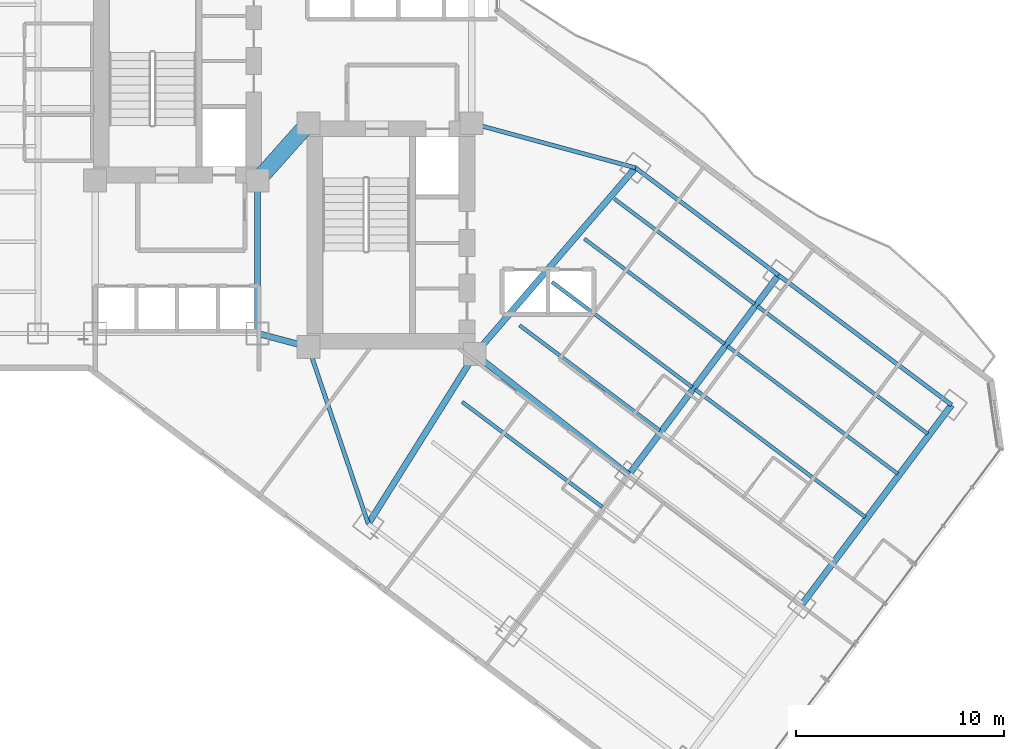
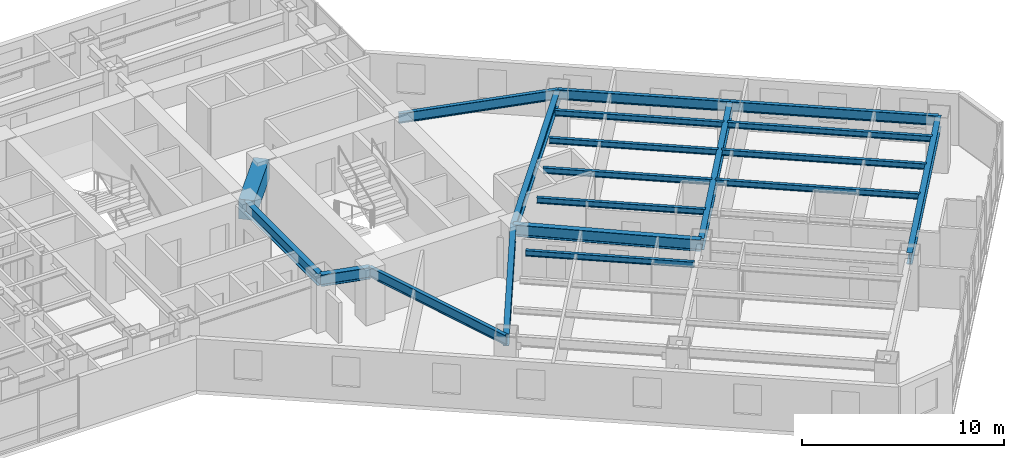
# One storey, part 11 of 37: 20 beams.
"""IFC4 building model written with IfcOpenShell, lengths in metres."""

from ifc_helpers import new_model, si_unit, direction, frame, origin, origin_2d, place, context, subcontext, project, spatial, rectangle, i_section, extrude, material, material_profile, profile_set, type_object, element, save


model = new_model("IFC4")

# Units and contexts
model_context = context("Model", 3, precision=1e-05, world=origin(), true_north=direction((0.0, 1.0)))
body_context = subcontext(model_context, "Body", "Model", "MODEL_VIEW")
ifc_project = project(units=[si_unit("LENGTHUNIT", "METRE"), si_unit("AREAUNIT", "SQUARE_METRE"), si_unit("VOLUMEUNIT", "CUBIC_METRE"), si_unit("PLANEANGLEUNIT", "RADIAN"), si_unit("MASSUNIT", "GRAM", prefix="KILO")], contexts=[model_context])

# Site, building, storey
site_placement = place(None, origin())
site = spatial("IfcSite", under=ifc_project, at=site_placement, CompositionType="ELEMENT")
building_placement = place(site_placement, origin())
building = spatial("IfcBuilding", under=site, at=building_placement, Name="Hatsunagi Terrace Concourse", CompositionType="ELEMENT")
storey_placement = place(building_placement, frame((0.0, 0.0, 39.949951171875)))
storey = spatial("IfcBuildingStorey", under=building, at=storey_placement, Name="L09", CompositionType="ELEMENT", Elevation=39.949951171875)

# Beams
ifc_material_1 = material(Name="Concrete Fc60", Category="concrete")
ifc_material_profile_1 = material_profile(ifc_material_1, rectangle(XDim=0.800048828125, YDim=1.199951171875, at=origin_2d()), Name="RC-800x1200")
ifc_profile_set_1 = profile_set([ifc_material_profile_1], Name="Concrete Fc60")
beam_type_1 = type_object("IfcBeamType", Name="CoreCouplingBeam_RC_800x1200", PredefinedType="BEAM", material=ifc_profile_set_1)
beam_1_placement = place(storey_placement, frame((33.35009765625, 32.550048828125, 2.530029296875), z_axis=(0.665198651008, 0.746666427997, 0.0), x_axis=(-0.746666427997, 0.665198651008, 0.0)))
element("IfcBeam", 1, at=beam_1_placement, inside=storey, type_object=beam_type_1, Name="Beam CB-01 CB-L09-1", PredefinedType="BEAM", context=body_context, shape_type="SweptSolid", body=[
    extrude(rectangle(XDim=0.800048828125, YDim=1.199951171875, at=origin_2d()), origin(), (0.0, 0.0, 1.0), 3.68310546875),
])
ifc_material_2 = material(Name="Steel SN490B", Category="steel")
ifc_material_profile_2 = material_profile(ifc_material_2, i_section(OverallWidth=0.300048828125, OverallDepth=0.699951171875, WebThickness=0.012939453125, FlangeThickness=0.02392578125, FilletRadius=0.02197265625, at=origin_2d()), Name="H-700x300x13x24")
ifc_profile_set_2 = profile_set([ifc_material_profile_2], Name="Steel SN490B")
beam_type_2 = type_object("IfcBeamType", Name="HotelFloorGirder_H_700x300", PredefinedType="BEAM", material=ifc_profile_set_2)
beam_2_placement = place(storey_placement, frame((33.35009765625, 25.199951171875, 2.780029296875), z_axis=(0.0, 1.0, 0.0), x_axis=(-1.0, 0.0, 0.0)))
element("IfcBeam", 2, at=beam_2_placement, inside=storey, type_object=beam_type_2, Name="Beam G-04 BM-L09-K2CA", PredefinedType="BEAM", context=body_context, shape_type="SweptSolid", body=[
    extrude(i_section(OverallWidth=0.300048828125, OverallDepth=0.699951171875, WebThickness=0.012939453125, FlangeThickness=0.02392578125, FilletRadius=0.02197265625, at=origin_2d()), origin(), (0.0, 0.0, 1.0), 7.35009765625),
])
beam_3_placement = place(storey_placement, frame((33.35009765625, 25.199951171875, 2.780029296875), z_axis=(0.966569840116, -0.256403479262, 0.0), x_axis=(0.256403479262, 0.966569840116, 0.0)))
element("IfcBeam", 3, at=beam_3_placement, inside=storey, type_object=beam_type_2, Name="Beam G-04 BM-L09-K2CB", PredefinedType="BEAM", context=body_context, shape_type="SweptSolid", body=[
    extrude(i_section(OverallWidth=0.300048828125, OverallDepth=0.699951171875, WebThickness=0.012939453125, FlangeThickness=0.02392578125, FilletRadius=0.02197265625, at=origin_2d()), origin(), (0.0, 0.0, 1.0), 2.53466796875),
])
beam_4_placement = place(storey_placement, frame((38.679931640625, 16.0400390625, 2.780029296875), z_axis=(0.531503907049, 0.847055840421, 0.0), x_axis=(-0.847055840421, 0.531503907049, 0.0)))
element("IfcBeam", 4, at=beam_4_placement, inside=storey, type_object=beam_type_2, Name="Beam G-04 BM-L09-SET-1A", PredefinedType="BEAM", context=body_context, shape_type="SweptSolid", body=[
    extrude(i_section(OverallWidth=0.300048828125, OverallDepth=0.699951171875, WebThickness=0.012939453125, FlangeThickness=0.02392578125, FilletRadius=0.02197265625, at=origin_2d()), origin(), (0.0, 0.0, 1.0), 9.63330078125),
])
beam_5_placement = place(storey_placement, frame((43.800048828125, 24.199951171875, 2.780029296875), z_axis=(0.652739101421, 0.757582777969, 0.0), x_axis=(-0.757582777969, 0.652739101421, 0.0)))
element("IfcBeam", 5, at=beam_5_placement, inside=storey, type_object=beam_type_2, Name="Beam G-04 BM-L09-SET-1B", PredefinedType="BEAM", context=body_context, shape_type="SweptSolid", body=[
    extrude(i_section(OverallWidth=0.300048828125, OverallDepth=0.699951171875, WebThickness=0.012939453125, FlangeThickness=0.02392578125, FilletRadius=0.02197265625, at=origin_2d()), origin(), (0.0, 0.0, 1.0), 11.8271484375),
])
beam_6_placement = place(storey_placement, frame((43.800048828125, 24.199951171875, 2.780029296875), z_axis=(0.787049441068, -0.616889923175, 0.0), x_axis=(0.616889923175, 0.787049441068, 0.0)))
element("IfcBeam", 6, at=beam_6_placement, inside=storey, type_object=beam_type_2, Name="Beam G-04 BM-L09-SE-M2", PredefinedType="BEAM", context=body_context, shape_type="SweptSolid", body=[
    extrude(i_section(OverallWidth=0.300048828125, OverallDepth=0.699951171875, WebThickness=0.012939453125, FlangeThickness=0.02392578125, FilletRadius=0.02197265625, at=origin_2d()), origin(), (0.0, 0.0, 1.0), 9.402099609375),
])
for number, where, z_axis, x_axis, name in (
    (7, (51.199951171875, 18.39990234375, 2.780029296875), (0.59999348959, 0.800004882766, 0.0), (-0.800004882766, 0.59999348959, 0.0), "Beam G-04 BM-L09-SET-2B"),
    (8, (59.52001953125, 12.159912109375, 2.780029296875), (0.59999348959, 0.800004882766, 0.0), (-0.800004882766, 0.59999348959, 0.0), "Beam G-04 BM-L09-SET-3B"),
):
    element("IfcBeam", number, at=place(storey_placement, frame(where, z_axis=z_axis, x_axis=x_axis)), inside=storey, type_object=beam_type_2, Name=name, PredefinedType="BEAM", context=body_context, shape_type="SweptSolid", body=[
        extrude(i_section(OverallWidth=0.300048828125, OverallDepth=0.699951171875, WebThickness=0.012939453125, FlangeThickness=0.02392578125, FilletRadius=0.02197265625, at=origin_2d()), origin(), (0.0, 0.0, 1.0), 12.0),
    ])
ifc_material_3 = material(Name="Steel SN490B", Category="steel")
ifc_material_profile_3 = material_profile(ifc_material_3, i_section(OverallWidth=0.175048828125, OverallDepth=0.35009765625, WebThickness=0.007080078125, FlangeThickness=0.010986328125, FilletRadius=0.012939453125, at=origin_2d()), Name="H-350x175x7x11")
ifc_profile_set_3 = profile_set([ifc_material_profile_3], Name="Steel SN490B")
beam_type_3 = type_object("IfcBeamType", Name="HotelJoist_H_350x175", PredefinedType="JOIST", material=ifc_profile_set_3)
for number, where, z_axis, x_axis, name in (
    (9, (43.18798828125, 21.908935546875, 2.955078125), (0.800003475366, -0.59999536615, 0.0), (0.59999536615, 0.800003475366, 0.0), "Beam J-02 J-L09-SE-2-96"),
    (10, (45.947998046875, 25.589111328125, 2.955078125), (0.799989573921, -0.600013901187, 0.0), (0.600013901187, 0.799989573921, 0.0), "Beam J-02 J-L09-SE-2-142"),
    (11, (47.508056640625, 27.6689453125, 2.955078125), (0.800003475366, -0.59999536615, 0.0), (0.59999536615, 0.800003475366, 0.0), "Beam J-02 J-L09-SE-2-168"),
    (12, (49.068115234375, 29.7490234375, 2.955078125), (0.799989573921, -0.600013901187, 0.0), (0.600013901187, 0.799989573921, 0.0), "Beam J-02 J-L09-SE-2-194"),
    (13, (50.508056640625, 31.6689453125, 2.955078125), (0.800003475366, -0.59999536615, 0.0), (0.59999536615, 0.800003475366, 0.0), "Beam J-02 J-L09-SE-2-218"),
):
    element("IfcBeam", number, at=place(storey_placement, frame(where, z_axis=z_axis, x_axis=x_axis)), inside=storey, type_object=beam_type_3, Name=name, PredefinedType="JOIST", context=body_context, shape_type="SweptSolid", body=[
        extrude(i_section(OverallWidth=0.175048828125, OverallDepth=0.35009765625, WebThickness=0.007080078125, FlangeThickness=0.010986328125, FilletRadius=0.012939453125, at=origin_2d()), origin(), (0.0, 0.0, 1.0), 8.429931640625),
    ])
beam_7_placement = place(storey_placement, frame((54.387939453125, 22.509033203125, 2.955078125), z_axis=(0.800005727586, -0.599992363142, 0.0), x_axis=(0.599992363142, 0.800005727586, 0.0)))
element("IfcBeam", 14, at=beam_7_placement, inside=storey, type_object=beam_type_3, Name="Beam J-02 J-L09-SE-3-168", PredefinedType="JOIST", context=body_context, shape_type="SweptSolid", body=[
    extrude(i_section(OverallWidth=0.175048828125, OverallDepth=0.35009765625, WebThickness=0.007080078125, FlangeThickness=0.010986328125, FilletRadius=0.012939453125, at=origin_2d()), origin(), (0.0, 0.0, 1.0), 10.22998046875),
])
beam_8_placement = place(storey_placement, frame((55.947998046875, 24.589111328125, 2.955078125), z_axis=(0.799994272423, -0.600007636694, 0.0), x_axis=(0.600007636694, 0.799994272423, 0.0)))
element("IfcBeam", 15, at=beam_8_placement, inside=storey, type_object=beam_type_3, Name="Beam J-02 J-L09-SE-3-194", PredefinedType="JOIST", context=body_context, shape_type="SweptSolid", body=[
    extrude(i_section(OverallWidth=0.175048828125, OverallDepth=0.35009765625, WebThickness=0.007080078125, FlangeThickness=0.010986328125, FilletRadius=0.012939453125, at=origin_2d()), origin(), (0.0, 0.0, 1.0), 10.230224609375),
])
beam_9_placement = place(storey_placement, frame((57.387939453125, 26.509033203125, 2.955078125), z_axis=(0.800005727586, -0.599992363142, 0.0), x_axis=(0.599992363142, 0.800005727586, 0.0)))
element("IfcBeam", 16, at=beam_9_placement, inside=storey, type_object=beam_type_3, Name="Beam J-02 J-L09-SE-3-218", PredefinedType="JOIST", context=body_context, shape_type="SweptSolid", body=[
    extrude(i_section(OverallWidth=0.175048828125, OverallDepth=0.35009765625, WebThickness=0.007080078125, FlangeThickness=0.010986328125, FilletRadius=0.012939453125, at=origin_2d()), origin(), (0.0, 0.0, 1.0), 10.22998046875),
])
ifc_material_4 = material(Name="Steel SN490B", Category="steel")
ifc_material_profile_4 = material_profile(ifc_material_4, i_section(OverallWidth=0.199951171875, OverallDepth=0.60009765625, WebThickness=0.010986328125, FlangeThickness=0.01708984375, FilletRadius=0.01806640625, at=origin_2d()), Name="H-600x200x11x17")
ifc_profile_set_4 = profile_set([ifc_material_profile_4], Name="Steel SN490B")
beam_type_4 = type_object("IfcBeamType", Name="PerimeterSpandrel_H_600x200", PredefinedType="SPANDREL", material=ifc_profile_set_4)
beam_10_placement = place(storey_placement, frame((35.800048828125, 24.550048828125, 2.830078125), z_axis=(0.320553412271, -0.947230441805, 0.0), x_axis=(0.947230441805, 0.320553412271, 0.0)))
element("IfcBeam", 17, at=beam_10_placement, inside=storey, type_object=beam_type_4, Name="Beam SP-01 BM-L09-SE-SW0", PredefinedType="SPANDREL", context=body_context, shape_type="SweptSolid", body=[
    extrude(i_section(OverallWidth=0.199951171875, OverallDepth=0.60009765625, WebThickness=0.010986328125, FlangeThickness=0.01708984375, FilletRadius=0.01806640625, at=origin_2d()), origin(), (0.0, 0.0, 1.0), 8.984130859375),
])
beam_11_placement = place(storey_placement, frame((43.64990234375, 35.300048828125, 2.830078125), z_axis=(0.964958359286, -0.262403057994, 0.0), x_axis=(0.262403057994, 0.964958359286, 0.0)))
element("IfcBeam", 18, at=beam_11_placement, inside=storey, type_object=beam_type_4, Name="Beam SP-01 BM-L09-SE-NE0", PredefinedType="SPANDREL", context=body_context, shape_type="SweptSolid", body=[
    extrude(i_section(OverallWidth=0.199951171875, OverallDepth=0.60009765625, WebThickness=0.010986328125, FlangeThickness=0.01708984375, FilletRadius=0.01806640625, at=origin_2d()), origin(), (0.0, 0.0, 1.0), 8.156005859375),
])
beam_12_placement = place(storey_placement, frame((51.52001953125, 33.159912109375, 2.830078125), z_axis=(0.8, -0.6, 0.0), x_axis=(0.6, 0.8, 0.0)))
element("IfcBeam", 19, at=beam_12_placement, inside=storey, type_object=beam_type_4, Name="Beam SP-01 BM-L09-SE-NE2", PredefinedType="SPANDREL", context=body_context, shape_type="SweptSolid", body=[
    extrude(i_section(OverallWidth=0.199951171875, OverallDepth=0.60009765625, WebThickness=0.010986328125, FlangeThickness=0.01708984375, FilletRadius=0.01806640625, at=origin_2d()), origin(), (0.0, 0.0, 1.0), 8.599853515625),
])
beam_13_placement = place(storey_placement, frame((58.39990234375, 28.0, 2.830078125), z_axis=(0.800002816985, -0.599996244001, 0.0), x_axis=(0.599996244001, 0.800002816985, 0.0)))
element("IfcBeam", 20, at=beam_13_placement, inside=storey, type_object=beam_type_4, Name="Beam SP-01 BM-L09-SE-NE3", PredefinedType="SPANDREL", context=body_context, shape_type="SweptSolid", body=[
    extrude(i_section(OverallWidth=0.199951171875, OverallDepth=0.60009765625, WebThickness=0.010986328125, FlangeThickness=0.01708984375, FilletRadius=0.01806640625, at=origin_2d()), origin(), (0.0, 0.0, 1.0), 10.400146484375),
])

save(model, "model.ifc")
